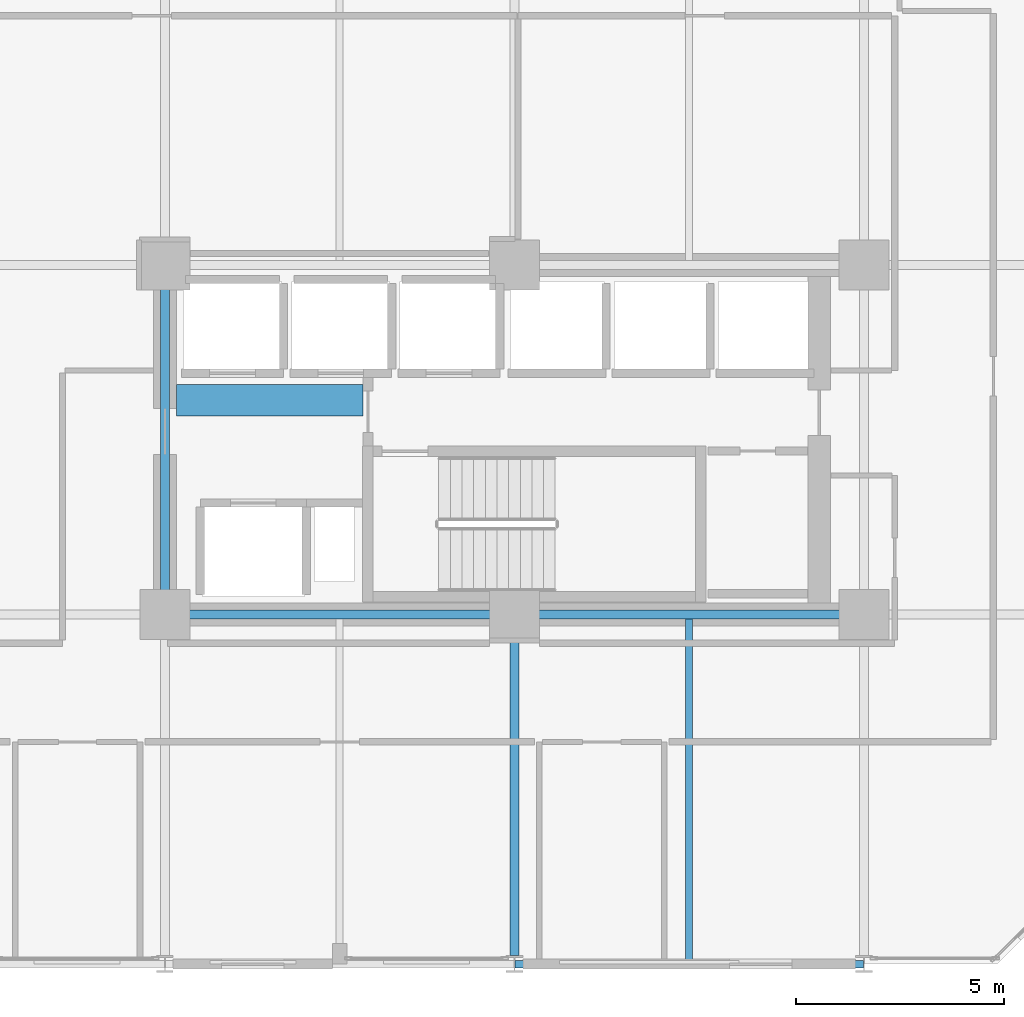
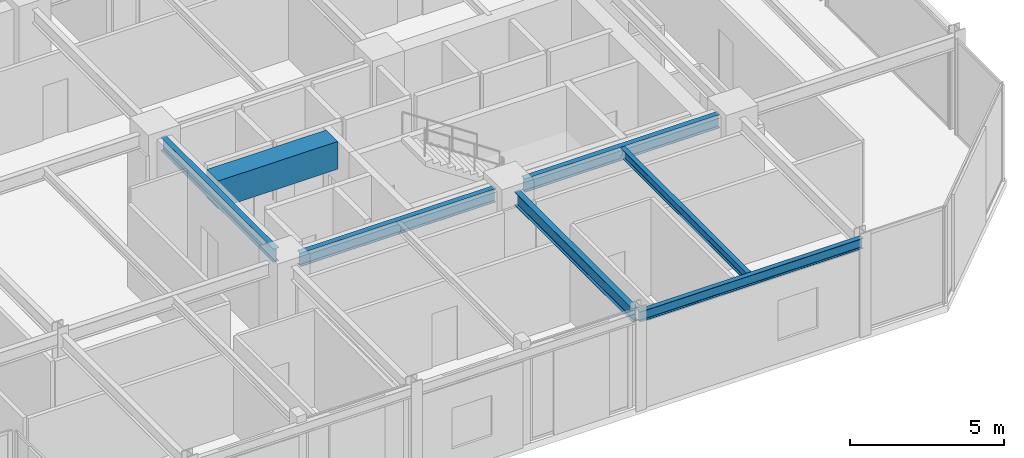
# One storey, part 7 of 29: 7 beams.
"""IFC4 building model written with IfcOpenShell, lengths in metres."""

import ifcopenshell
import ifcopenshell.guid

model = None  # the IFC model being written
_history = None  # IfcOwnerHistory: only IFC2X3 demands one
_inside = {}  # id of a spatial element -> (the spatial element, [elements in it])
_under = {}  # id of a project, library or spatial element -> (it, [spatial elements below it])
_declared = {}  # id of a project -> (the project, [libraries it declares])
_typed = {}  # id of a type object -> (the type object, [elements of that type])
_made_of = {}  # id of a material, layer set ... -> (it, [elements and type objects made of it])


def new_model(schema):
    """Start an empty IFC model of exactly this schema.

    Asked for "IFC4X3", IfcOpenShell would pick the latest addendum, in which some entities
    have other attributes; the version numbers below select the first issue.
    IFC2X3 requires an IfcOwnerHistory on every rooted entity: one is made here for all.
    """
    global model, _history
    if schema == "IFC4X3":
        model = ifcopenshell.file(schema_version=(4, 3, 0, 0))
    else:
        model = ifcopenshell.file(schema=schema)
    _inside.clear()
    _under.clear()
    _declared.clear()
    _typed.clear()
    _made_of.clear()
    _history = None
    if model.schema == "IFC2X3":
        org = make("IfcOrganization", Name="unknown")
        user = make(
            "IfcPersonAndOrganization",
            ThePerson=make("IfcPerson", FamilyName="unknown"),
            TheOrganization=org,
        )
        app = make(
            "IfcApplication",
            ApplicationDeveloper=org,
            Version="unknown",
            ApplicationFullName="unknown",
            ApplicationIdentifier="unknown",
        )
        _history = make(
            "IfcOwnerHistory",
            OwningUser=user,
            OwningApplication=app,
            ChangeAction="ADDED",
            CreationDate=0,
        )
    return model


def make(cls, **values):
    """One entity of the class cls with the attributes given. An attribute that is None is left unset."""
    return model.create_entity(
        cls, **{name: value for name, value in values.items() if value is not None}
    )


def rooted(cls, **values):
    """An entity with a GlobalId (a new one), such as an element, a storey or a relation."""
    return make(cls, GlobalId=ifcopenshell.guid.new(), OwnerHistory=_history, **values)


def si_unit(unit_type, name, prefix=None):
    """IfcSIUnit, for example si_unit("LENGTHUNIT", "METRE", prefix="MILLI")."""
    return make("IfcSIUnit", UnitType=unit_type, Prefix=prefix, Name=name)


def assignment(units):
    """IfcUnitAssignment: the units of a project."""
    return None if units is None else make("IfcUnitAssignment", Units=units)


def point(xyz):
    """IfcCartesianPoint."""
    return None if xyz is None else make("IfcCartesianPoint", Coordinates=xyz)


def direction(xyz):
    """IfcDirection."""
    return None if xyz is None else make("IfcDirection", DirectionRatios=xyz)


def frame(location, z_axis=None, x_axis=None):
    """IfcAxis2Placement3D, a coordinate frame: its origin and axes. An axis left out is left unset."""
    return make(
        "IfcAxis2Placement3D",
        Location=point(location),
        Axis=direction(z_axis),
        RefDirection=direction(x_axis),
    )


def frame_2d(location, x_axis=None):
    """IfcAxis2Placement2D, a coordinate frame in the plane: its origin and x axis."""
    return make(
        "IfcAxis2Placement2D", Location=point(location), RefDirection=direction(x_axis)
    )


def origin():
    """The frame at (0, 0, 0) with its axes left unset."""
    return frame((0.0, 0.0, 0.0))


def origin_2d():
    """The frame at (0, 0) in the plane with its x axis left unset."""
    return frame_2d((0.0, 0.0))


def place(relative_to, where):
    """IfcLocalPlacement: puts the frame where relative to a parent placement (None: the world)."""
    return make(
        "IfcLocalPlacement", PlacementRelTo=relative_to, RelativePlacement=where
    )


def context(
    kind, dimensions, precision=None, world=None, true_north=None, identifier=None
):
    """IfcGeometricRepresentationContext, for example the 3D "Model" context."""
    return make(
        "IfcGeometricRepresentationContext",
        ContextIdentifier=identifier,
        ContextType=kind,
        CoordinateSpaceDimension=dimensions,
        Precision=precision,
        WorldCoordinateSystem=world,
        TrueNorth=true_north,
    )


def subcontext(parent, identifier, kind, view, scale=None):
    """IfcGeometricRepresentationSubContext, for example "Body" below "Model"."""
    return make(
        "IfcGeometricRepresentationSubContext",
        ContextIdentifier=identifier,
        ContextType=kind,
        ParentContext=parent,
        TargetScale=scale,
        TargetView=view,
    )


def project(units=None, contexts=None):
    """IfcProject with its units and contexts."""
    return rooted(
        "IfcProject",
        Name="project",
        RepresentationContexts=contexts,
        UnitsInContext=assignment(units),
    )


def spatial(cls, under=None, at=None, **own):
    """A site, building, storey or space (cls), placed at a placement, below another one or the project."""
    s = rooted(cls, ObjectPlacement=at, **own)
    if under is not None:
        _under.setdefault(under.id(), (under, []))[1].append(s)
    return s


def profile(cls, at=None, kind="AREA", **sizes):
    """A parametric profile (cls). Its sizes go by their IFC names, for example OverallWidth=200.0."""
    return make(cls, ProfileType=kind, Position=at, **sizes)


def rectangle(**sizes):
    """IfcRectangleProfileDef."""
    return profile("IfcRectangleProfileDef", **sizes)


def i_section(**sizes):
    """IfcIShapeProfileDef."""
    return profile("IfcIShapeProfileDef", **sizes)


def extrude(swept, where, along, depth):
    """IfcExtrudedAreaSolid: the profile swept, set in the frame where, extruded along a direction by depth."""
    return make(
        "IfcExtrudedAreaSolid",
        SweptArea=swept,
        Position=where,
        ExtrudedDirection=direction(along),
        Depth=depth,
    )


def shape(context_of_items, identifier, shape_type, items):
    """IfcShapeRepresentation: the items that make up one representation, for example the "Body"."""
    return make(
        "IfcShapeRepresentation",
        ContextOfItems=context_of_items,
        RepresentationIdentifier=identifier,
        RepresentationType=shape_type,
        Items=items,
    )


def material(Name=None, Category=None):
    """IfcMaterial."""
    return make("IfcMaterial", Name=Name, Category=Category)


def material_profile(
    of_material, cross_section, Name=None, Category=None, Priority=None
):
    """IfcMaterialProfile: a cross section and its material."""
    return make(
        "IfcMaterialProfile",
        Name=Name,
        Material=of_material,
        Profile=cross_section,
        Priority=Priority,
        Category=Category,
    )


def profile_set(profiles, Name=None, composite=None):
    """IfcMaterialProfileSet."""
    return make(
        "IfcMaterialProfileSet",
        Name=Name,
        MaterialProfiles=profiles,
        CompositeProfile=composite,
    )


def made_of(thing, what):
    """Note that an element or type object is made of a material, layer set ...; save() writes the relation."""
    if what is not None:
        _made_of.setdefault(what.id(), (what, []))[1].append(thing)
    return thing


def type_object(cls, material=None, **own):
    """A type object (cls), such as IfcWallType, which elements share."""
    return made_of(rooted(cls, **own), material)


def element(
    cls,
    number,
    at=None,
    inside=None,
    cuts=None,
    type_object=None,
    material=None,
    context=None,
    identifier="Body",
    shape_type=None,
    held_by="IfcProductDefinitionShape",
    body=None,
    shapes=None,
    **own,
):
    """One element of the class cls, such as IfcWall. Its Tag is "e" and its number.

    at: its placement. inside: the storey or other place that contains it. cuts: it is an
    opening in that element (IfcRelVoidsElement). A single representation is given by context,
    identifier, shape_type and body (its items); several are given by shapes. held_by: the class
    of the entity that holds the representations. save() writes the other relations.
    """
    e = rooted(cls, Tag="e%d" % number, ObjectPlacement=at, **own)
    if body is not None:
        shapes = [shape(context, identifier, shape_type, body)]
    if shapes is not None:
        e.Representation = make(held_by, Representations=shapes)
    if inside is not None:
        _inside.setdefault(inside.id(), (inside, []))[1].append(e)
    if cuts is not None:
        rooted(
            "IfcRelVoidsElement", RelatingBuildingElement=cuts, RelatedOpeningElement=e
        )
    if type_object is not None:
        _typed.setdefault(type_object.id(), (type_object, []))[1].append(e)
    return made_of(e, material)


def aggregate(whole, parts):
    """IfcRelAggregates: a whole, such as a stair, and the parts it consists of."""
    return rooted("IfcRelAggregates", RelatingObject=whole, RelatedObjects=parts)


def save(model, path):
    """Write the relations noted so far, then the file.

    IfcRelAggregates (storeys below a building ...), IfcRelContainedInSpatialStructure (elements
    in a storey), IfcRelDefinesByType, IfcRelAssociatesMaterial and IfcRelDeclares: one each for
    every whole, place, type object, material and project.
    """
    for whole, parts in _under.values():
        aggregate(whole, parts)
    for where, things in _inside.values():
        rooted(
            "IfcRelContainedInSpatialStructure",
            RelatedElements=things,
            RelatingStructure=where,
        )
    for kind, things in _typed.values():
        rooted("IfcRelDefinesByType", RelatedObjects=things, RelatingType=kind)
    for what, things in _made_of.values():
        rooted("IfcRelAssociatesMaterial", RelatedObjects=things, RelatingMaterial=what)
    for by, libraries in _declared.values():
        rooted("IfcRelDeclares", RelatingContext=by, RelatedDefinitions=libraries)
    model.write(path)


model = new_model("IFC4")

# Units and contexts
model_context = context("Model", 3, precision=1e-05, world=origin(), true_north=direction((0.0, 1.0)))
body_context = subcontext(model_context, "Body", "Model", "MODEL_VIEW")
ifc_project = project(units=[si_unit("LENGTHUNIT", "METRE"), si_unit("AREAUNIT", "SQUARE_METRE"), si_unit("VOLUMEUNIT", "CUBIC_METRE"), si_unit("PLANEANGLEUNIT", "RADIAN"), si_unit("MASSUNIT", "GRAM", prefix="KILO")], contexts=[model_context])

# Site, building, storey
site_placement = place(None, origin())
site = spatial("IfcSite", under=ifc_project, at=site_placement, CompositionType="ELEMENT")
building_placement = place(site_placement, origin())
building = spatial("IfcBuilding", under=site, at=building_placement, Name="Nerrivon Quay Data Exchange", CompositionType="ELEMENT")
storey_placement = place(building_placement, frame((0.0, 0.0, 125.39990234375)))
storey = spatial("IfcBuildingStorey", under=building, at=storey_placement, Name="L29", CompositionType="ELEMENT", Elevation=125.39990234375)

# Beams
ifc_material_1 = material(Name="Concrete S65 (65 MPa)", Category="concrete")
ifc_material_profile_1 = material_profile(ifc_material_1, rectangle(XDim=0.75, YDim=1.10009765625, at=origin_2d()), Name="RC-CB-750x1100")
ifc_profile_set_1 = profile_set([ifc_material_profile_1], Name="Concrete S65 (65 MPa)")
beam_type_1 = type_object("IfcBeamType", Name="BM-CB1-750x1100", PredefinedType="LINTEL", material=ifc_profile_set_1)
beam_1_placement = place(storey_placement, frame((17.074951171875, 13.550048828125, 3.275146484375), z_axis=(1.0, 0.0, 0.0), x_axis=(0.0, 1.0, 0.0)))
element("IfcBeam", 1, at=beam_1_placement, inside=storey, type_object=beam_type_1, Name="L29 East Core Coupling Beam", PredefinedType="LINTEL", context=body_context, shape_type="SweptSolid", body=[
    extrude(rectangle(XDim=0.75, YDim=1.10009765625, at=origin_2d()), origin(), (0.0, 0.0, 1.0), 4.47998046875),
])
ifc_material_2 = material(Name="Steel Grade 350", Category="steel")
ifc_material_profile_2 = material_profile(ifc_material_2, i_section(OverallWidth=0.208984375, OverallDepth=0.532958984375, WebThickness=0.01025390625, FlangeThickness=0.015625, FilletRadius=0.013916015625, at=origin_2d()), Name="530UB92.4")
ifc_profile_set_2 = profile_set([ifc_material_profile_2], Name="Steel Grade 350")
beam_type_2 = type_object("IfcBeamType", Name="BM-G3-530UB92", PredefinedType="BEAM", material=ifc_profile_set_2)
beam_2_placement = place(storey_placement, frame((17.340087890625, 8.39990234375, 3.55859375), z_axis=(1.0, 0.0, 0.0), x_axis=(0.0, 1.0, 0.0)))
element("IfcBeam", 2, at=beam_2_placement, inside=storey, type_object=beam_type_2, Name="L29 EW Girder Y=8.4 (16.8..25.2)", PredefinedType="BEAM", context=body_context, shape_type="SweptSolid", body=[
    extrude(i_section(OverallWidth=0.208984375, OverallDepth=0.532958984375, WebThickness=0.01025390625, FlangeThickness=0.015625, FilletRadius=0.013916015625, at=origin_2d()), origin(), (0.0, 0.0, 1.0), 7.31982421875),
])
beam_3_placement = place(storey_placement, frame((25.739990234375, 8.39990234375, 3.55859375), z_axis=(1.0, 0.0, 0.0), x_axis=(0.0, 1.0, 0.0)))
element("IfcBeam", 3, at=beam_3_placement, inside=storey, type_object=beam_type_2, Name="L29 EW Girder Y=8.4 (25.2..33.6)", PredefinedType="BEAM", context=body_context, shape_type="SweptSolid", body=[
    extrude(i_section(OverallWidth=0.208984375, OverallDepth=0.532958984375, WebThickness=0.01025390625, FlangeThickness=0.015625, FilletRadius=0.013916015625, at=origin_2d()), origin(), (0.0, 0.0, 1.0), 7.320068359375),
])
ifc_material_profile_3 = material_profile(ifc_material_2, i_section(OverallWidth=0.208984375, OverallDepth=0.528076171875, WebThickness=0.009521484375, FlangeThickness=0.01318359375, FilletRadius=0.013916015625, at=origin_2d()), Name="530UB82.0")
ifc_profile_set_3 = profile_set([ifc_material_profile_3], Name="Steel Grade 350")
beam_type_3 = type_object("IfcBeamType", Name="BM-G4-530UB82", PredefinedType="BEAM", material=ifc_profile_set_3)
beam_4_placement = place(storey_placement, frame((16.800048828125, 8.93994140625, 3.56103515625), z_axis=(0.0, 1.0, 0.0), x_axis=(-1.0, 0.0, 0.0)))
element("IfcBeam", 4, at=beam_4_placement, inside=storey, type_object=beam_type_3, Name="L29 NS Girder X=16.8 (8.4..16.8)", PredefinedType="BEAM", context=body_context, shape_type="SweptSolid", body=[
    extrude(i_section(OverallWidth=0.208984375, OverallDepth=0.528076171875, WebThickness=0.009521484375, FlangeThickness=0.01318359375, FilletRadius=0.013916015625, at=origin_2d()), origin(), (0.0, 0.0, 1.0), 7.320068359375),
])
beam_5_placement = place(storey_placement, frame((25.199951171875, 0.199951171875, 3.56103515625), z_axis=(0.0, 1.0, 0.0), x_axis=(-1.0, 0.0, 0.0)))
element("IfcBeam", 5, at=beam_5_placement, inside=storey, type_object=beam_type_3, Name="L29 NS Girder X=25.2 (0.0..8.4)", PredefinedType="BEAM", context=body_context, shape_type="SweptSolid", body=[
    extrude(i_section(OverallWidth=0.208984375, OverallDepth=0.528076171875, WebThickness=0.009521484375, FlangeThickness=0.01318359375, FilletRadius=0.013916015625, at=origin_2d()), origin(), (0.0, 0.0, 1.0), 7.66015625),
])
ifc_material_profile_4 = material_profile(ifc_material_2, i_section(OverallWidth=0.1708984375, OverallDepth=0.35595703125, WebThickness=0.00732421875, FlangeThickness=0.011474609375, FilletRadius=0.011474609375, at=origin_2d()), Name="360UB50.7")
ifc_profile_set_4 = profile_set([ifc_material_profile_4], Name="Steel Grade 350")
beam_type_4 = type_object("IfcBeamType", Name="BM-J4-360UB51", PredefinedType="JOIST", material=ifc_profile_set_4)
beam_6_placement = place(storey_placement, frame((29.39990234375, 0.089111328125, 3.647216796875), z_axis=(0.0, 1.0, 0.0), x_axis=(-1.0, 0.0, 0.0)))
element("IfcBeam", 6, at=beam_6_placement, inside=storey, type_object=beam_type_4, Name="L29 Secondary Joist X=29.4 (0.0..8.4)", PredefinedType="JOIST", context=body_context, shape_type="SweptSolid", body=[
    extrude(i_section(OverallWidth=0.1708984375, OverallDepth=0.35595703125, WebThickness=0.00732421875, FlangeThickness=0.011474609375, FilletRadius=0.011474609375, at=origin_2d()), origin(), (0.0, 0.0, 1.0), 8.206298828125),
])
ifc_material_profile_5 = material_profile(ifc_material_2, i_section(OverallWidth=0.177978515625, OverallDepth=0.403076171875, WebThickness=0.007568359375, FlangeThickness=0.010986328125, FilletRadius=0.011474609375, at=origin_2d()), Name="410UB53.7")
ifc_profile_set_5 = profile_set([ifc_material_profile_5], Name="Steel Grade 350")
beam_type_5 = type_object("IfcBeamType", Name="BM-SP2-410UB54", PredefinedType="SPANDREL", material=ifc_profile_set_5)
beam_7_placement = place(storey_placement, frame((25.21240234375, 0.0, 3.62353515625), z_axis=(1.0, 0.0, 0.0), x_axis=(0.0, 1.0, 0.0)))
element("IfcBeam", 7, at=beam_7_placement, inside=storey, type_object=beam_type_5, Name="L29 EW Girder Y=0.0 (25.2..33.6)", PredefinedType="SPANDREL", context=body_context, shape_type="SweptSolid", body=[
    extrude(i_section(OverallWidth=0.177978515625, OverallDepth=0.403076171875, WebThickness=0.007568359375, FlangeThickness=0.010986328125, FilletRadius=0.011474609375, at=origin_2d()), origin(), (0.0, 0.0, 1.0), 8.375),
])

save(model, "model.ifc")
